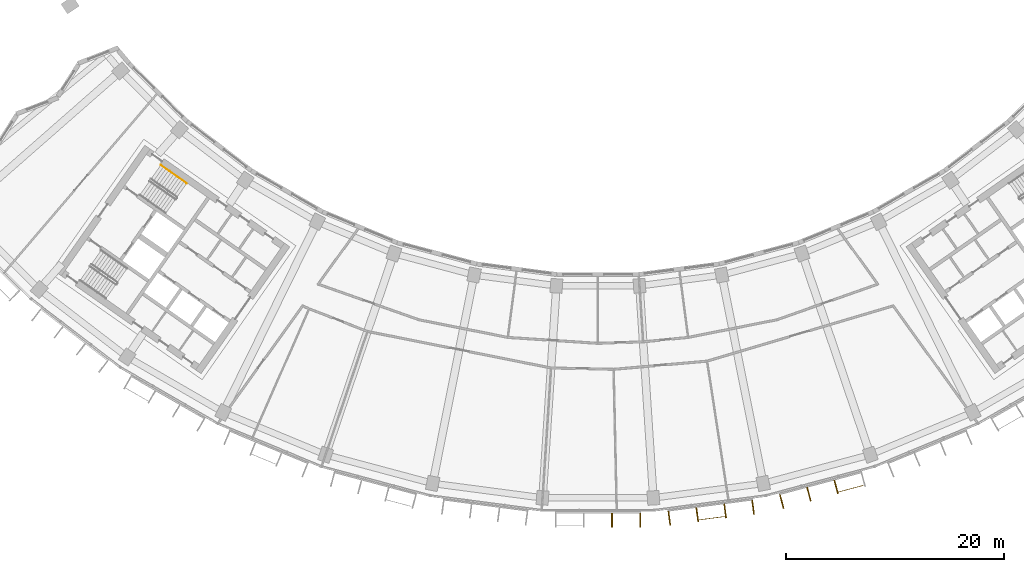
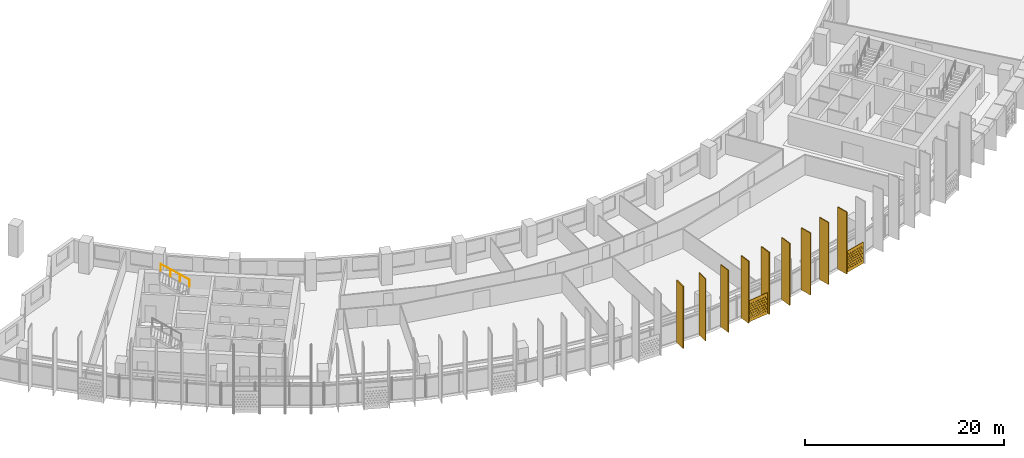
# One storey, part 24 of 27: 11 shading devices, 1 railing.
"""IFC4 building model written with IfcOpenShell, lengths in metres."""

from ifc_helpers import new_model, si_unit, direction, frame, origin, origin_2d, place, context, subcontext, project, spatial, polyline, rectangle, circle, outline, extrude, material, material_profile, profile_set, type_object, element, save


model = new_model("IFC4")

# Units and contexts
model_context = context("Model", 3, precision=1e-05, world=origin(), true_north=direction((0.0, 1.0)))
body_context = subcontext(model_context, "Body", "Model", "MODEL_VIEW")
ifc_project = project(units=[si_unit("LENGTHUNIT", "METRE"), si_unit("AREAUNIT", "SQUARE_METRE"), si_unit("VOLUMEUNIT", "CUBIC_METRE"), si_unit("PLANEANGLEUNIT", "RADIAN"), si_unit("MASSUNIT", "GRAM", prefix="KILO")], contexts=[model_context])

# Site, building, storey
site_placement = place(None, origin())
site = spatial("IfcSite", under=ifc_project, at=site_placement, CompositionType="ELEMENT")
building_placement = place(site_placement, origin())
building = spatial("IfcBuilding", under=site, at=building_placement, Name="Qamariyya Broadcast Tower", CompositionType="ELEMENT")
storey_placement = place(building_placement, frame((0.0, 0.0, 172.10009765625)))
storey = spatial("IfcBuildingStorey", under=building, at=storey_placement, Name="L40", CompositionType="ELEMENT", Elevation=172.10009765625)

# Shading devices
ifc_material_1 = material(Name="Perforated glazed terracotta", Category="masonry")
ifc_material_profile_1 = material_profile(ifc_material_1, outline(polyline([(-1.199951171875, -1.300048828125), (1.199951171875, -1.300048828125), (1.199951171875, 1.300048828125), (-1.199951171875, 1.300048828125), (-1.199951171875, -1.300048828125)]), holes=[polyline([(-0.81494140625, -0.86669921875), (-0.89990234375, -0.78173828125), (-0.985107421875, -0.86669921875), (-0.89990234375, -0.95166015625), (-0.81494140625, -0.86669921875)]), polyline([(-0.514892578125, -0.86669921875), (-0.60009765625, -0.78173828125), (-0.68505859375, -0.86669921875), (-0.60009765625, -0.95166015625), (-0.514892578125, -0.86669921875)]), polyline([(-0.215087890625, -0.86669921875), (-0.300048828125, -0.78173828125), (-0.385009765625, -0.86669921875), (-0.300048828125, -0.95166015625), (-0.215087890625, -0.86669921875)]), polyline([(0.0849609375, -0.86669921875), (0.0, -0.78173828125), (-0.0849609375, -0.86669921875), (0.0, -0.95166015625), (0.0849609375, -0.86669921875)]), polyline([(0.385009765625, -0.86669921875), (0.300048828125, -0.78173828125), (0.215087890625, -0.86669921875), (0.300048828125, -0.95166015625), (0.385009765625, -0.86669921875)]), polyline([(0.68505859375, -0.86669921875), (0.60009765625, -0.78173828125), (0.514892578125, -0.86669921875), (0.60009765625, -0.95166015625), (0.68505859375, -0.86669921875)]), polyline([(0.985107421875, -0.86669921875), (0.89990234375, -0.78173828125), (0.81494140625, -0.86669921875), (0.89990234375, -0.95166015625), (0.985107421875, -0.86669921875)]), polyline([(-0.965087890625, -0.577880859375), (-1.050048828125, -0.49267578125), (-1.135009765625, -0.577880859375), (-1.050048828125, -0.662841796875), (-0.965087890625, -0.577880859375)]), polyline([(-0.6650390625, -0.577880859375), (-0.75, -0.49267578125), (-0.8349609375, -0.577880859375), (-0.75, -0.662841796875), (-0.6650390625, -0.577880859375)]), polyline([(-0.364990234375, -0.577880859375), (-0.449951171875, -0.49267578125), (-0.534912109375, -0.577880859375), (-0.449951171875, -0.662841796875), (-0.364990234375, -0.577880859375)]), polyline([(-0.06494140625, -0.577880859375), (-0.14990234375, -0.49267578125), (-0.235107421875, -0.577880859375), (-0.14990234375, -0.662841796875), (-0.06494140625, -0.577880859375)]), polyline([(0.235107421875, -0.577880859375), (0.14990234375, -0.49267578125), (0.06494140625, -0.577880859375), (0.14990234375, -0.662841796875), (0.235107421875, -0.577880859375)]), polyline([(0.534912109375, -0.577880859375), (0.449951171875, -0.49267578125), (0.364990234375, -0.577880859375), (0.449951171875, -0.662841796875), (0.534912109375, -0.577880859375)]), polyline([(0.8349609375, -0.577880859375), (0.75, -0.49267578125), (0.6650390625, -0.577880859375), (0.75, -0.662841796875), (0.8349609375, -0.577880859375)]), polyline([(1.135009765625, -0.577880859375), (1.050048828125, -0.49267578125), (0.965087890625, -0.577880859375), (1.050048828125, -0.662841796875), (1.135009765625, -0.577880859375)]), polyline([(-0.81494140625, -0.288818359375), (-0.89990234375, -0.203857421875), (-0.985107421875, -0.288818359375), (-0.89990234375, -0.373779296875), (-0.81494140625, -0.288818359375)]), polyline([(-0.514892578125, -0.288818359375), (-0.60009765625, -0.203857421875), (-0.68505859375, -0.288818359375), (-0.60009765625, -0.373779296875), (-0.514892578125, -0.288818359375)]), polyline([(-0.215087890625, -0.288818359375), (-0.300048828125, -0.203857421875), (-0.385009765625, -0.288818359375), (-0.300048828125, -0.373779296875), (-0.215087890625, -0.288818359375)]), polyline([(0.0849609375, -0.288818359375), (0.0, -0.203857421875), (-0.0849609375, -0.288818359375), (0.0, -0.373779296875), (0.0849609375, -0.288818359375)]), polyline([(0.385009765625, -0.288818359375), (0.300048828125, -0.203857421875), (0.215087890625, -0.288818359375), (0.300048828125, -0.373779296875), (0.385009765625, -0.288818359375)]), polyline([(0.68505859375, -0.288818359375), (0.60009765625, -0.203857421875), (0.514892578125, -0.288818359375), (0.60009765625, -0.373779296875), (0.68505859375, -0.288818359375)]), polyline([(0.985107421875, -0.288818359375), (0.89990234375, -0.203857421875), (0.81494140625, -0.288818359375), (0.89990234375, -0.373779296875), (0.985107421875, -0.288818359375)]), polyline([(-0.965087890625, 0.0), (-1.050048828125, 0.0849609375), (-1.135009765625, 0.0), (-1.050048828125, -0.0849609375), (-0.965087890625, 0.0)]), polyline([(-0.6650390625, 0.0), (-0.75, 0.0849609375), (-0.8349609375, 0.0), (-0.75, -0.0849609375), (-0.6650390625, 0.0)]), polyline([(-0.364990234375, 0.0), (-0.449951171875, 0.0849609375), (-0.534912109375, 0.0), (-0.449951171875, -0.0849609375), (-0.364990234375, 0.0)]), polyline([(-0.06494140625, 0.0), (-0.14990234375, 0.0849609375), (-0.235107421875, 0.0), (-0.14990234375, -0.0849609375), (-0.06494140625, 0.0)]), polyline([(0.235107421875, 0.0), (0.14990234375, 0.0849609375), (0.06494140625, 0.0), (0.14990234375, -0.0849609375), (0.235107421875, 0.0)]), polyline([(0.534912109375, 0.0), (0.449951171875, 0.0849609375), (0.364990234375, 0.0), (0.449951171875, -0.0849609375), (0.534912109375, 0.0)]), polyline([(0.8349609375, 0.0), (0.75, 0.0849609375), (0.6650390625, 0.0), (0.75, -0.0849609375), (0.8349609375, 0.0)]), polyline([(1.135009765625, 0.0), (1.050048828125, 0.0849609375), (0.965087890625, 0.0), (1.050048828125, -0.0849609375), (1.135009765625, 0.0)]), polyline([(-0.81494140625, 0.288818359375), (-0.89990234375, 0.373779296875), (-0.985107421875, 0.288818359375), (-0.89990234375, 0.203857421875), (-0.81494140625, 0.288818359375)]), polyline([(-0.514892578125, 0.288818359375), (-0.60009765625, 0.373779296875), (-0.68505859375, 0.288818359375), (-0.60009765625, 0.203857421875), (-0.514892578125, 0.288818359375)]), polyline([(-0.215087890625, 0.288818359375), (-0.300048828125, 0.373779296875), (-0.385009765625, 0.288818359375), (-0.300048828125, 0.203857421875), (-0.215087890625, 0.288818359375)]), polyline([(0.0849609375, 0.288818359375), (0.0, 0.373779296875), (-0.0849609375, 0.288818359375), (0.0, 0.203857421875), (0.0849609375, 0.288818359375)]), polyline([(0.385009765625, 0.288818359375), (0.300048828125, 0.373779296875), (0.215087890625, 0.288818359375), (0.300048828125, 0.203857421875), (0.385009765625, 0.288818359375)]), polyline([(0.68505859375, 0.288818359375), (0.60009765625, 0.373779296875), (0.514892578125, 0.288818359375), (0.60009765625, 0.203857421875), (0.68505859375, 0.288818359375)]), polyline([(0.985107421875, 0.288818359375), (0.89990234375, 0.373779296875), (0.81494140625, 0.288818359375), (0.89990234375, 0.203857421875), (0.985107421875, 0.288818359375)]), polyline([(-0.965087890625, 0.577880859375), (-1.050048828125, 0.662841796875), (-1.135009765625, 0.577880859375), (-1.050048828125, 0.49267578125), (-0.965087890625, 0.577880859375)]), polyline([(-0.6650390625, 0.577880859375), (-0.75, 0.662841796875), (-0.8349609375, 0.577880859375), (-0.75, 0.49267578125), (-0.6650390625, 0.577880859375)]), polyline([(-0.364990234375, 0.577880859375), (-0.449951171875, 0.662841796875), (-0.534912109375, 0.577880859375), (-0.449951171875, 0.49267578125), (-0.364990234375, 0.577880859375)]), polyline([(-0.06494140625, 0.577880859375), (-0.14990234375, 0.662841796875), (-0.235107421875, 0.577880859375), (-0.14990234375, 0.49267578125), (-0.06494140625, 0.577880859375)]), polyline([(0.235107421875, 0.577880859375), (0.14990234375, 0.662841796875), (0.06494140625, 0.577880859375), (0.14990234375, 0.49267578125), (0.235107421875, 0.577880859375)]), polyline([(0.534912109375, 0.577880859375), (0.449951171875, 0.662841796875), (0.364990234375, 0.577880859375), (0.449951171875, 0.49267578125), (0.534912109375, 0.577880859375)]), polyline([(0.8349609375, 0.577880859375), (0.75, 0.662841796875), (0.6650390625, 0.577880859375), (0.75, 0.49267578125), (0.8349609375, 0.577880859375)]), polyline([(1.135009765625, 0.577880859375), (1.050048828125, 0.662841796875), (0.965087890625, 0.577880859375), (1.050048828125, 0.49267578125), (1.135009765625, 0.577880859375)]), polyline([(-0.81494140625, 0.86669921875), (-0.89990234375, 0.95166015625), (-0.985107421875, 0.86669921875), (-0.89990234375, 0.78173828125), (-0.81494140625, 0.86669921875)]), polyline([(-0.514892578125, 0.86669921875), (-0.60009765625, 0.95166015625), (-0.68505859375, 0.86669921875), (-0.60009765625, 0.78173828125), (-0.514892578125, 0.86669921875)]), polyline([(-0.215087890625, 0.86669921875), (-0.300048828125, 0.95166015625), (-0.385009765625, 0.86669921875), (-0.300048828125, 0.78173828125), (-0.215087890625, 0.86669921875)]), polyline([(0.0849609375, 0.86669921875), (0.0, 0.95166015625), (-0.0849609375, 0.86669921875), (0.0, 0.78173828125), (0.0849609375, 0.86669921875)]), polyline([(0.385009765625, 0.86669921875), (0.300048828125, 0.95166015625), (0.215087890625, 0.86669921875), (0.300048828125, 0.78173828125), (0.385009765625, 0.86669921875)]), polyline([(0.68505859375, 0.86669921875), (0.60009765625, 0.95166015625), (0.514892578125, 0.86669921875), (0.60009765625, 0.78173828125), (0.68505859375, 0.86669921875)]), polyline([(0.985107421875, 0.86669921875), (0.89990234375, 0.95166015625), (0.81494140625, 0.86669921875), (0.89990234375, 0.78173828125), (0.985107421875, 0.86669921875)])]))
ifc_profile_set_1 = profile_set([ifc_material_profile_1], Name="Perforated glazed terracotta")
shading_device_type_1 = type_object("IfcShadingDeviceType", Name="Perforated terracotta screen 2400 x 2600", PredefinedType="USERDEFINED", material=ifc_profile_set_1)
shading_device_1_placement = place(storey_placement, frame((10.413818359375, -79.421142578125, 1.349853515625), z_axis=(0.13056005306, -0.991440402921, 0.0), x_axis=(0.991440402921, 0.13056005306, 0.0)))
element("IfcShadingDevice", 1, at=shading_device_1_placement, inside=storey, type_object=shading_device_type_1, Name="e-scr-L40-08-1", ObjectType="SCREEN", PredefinedType="USERDEFINED", context=body_context, shape_type="SweptSolid", body=[
    extrude(outline(polyline([(-1.199951171875, -1.300048828125), (1.199951171875, -1.300048828125), (1.199951171875, 1.300048828125), (-1.199951171875, 1.300048828125), (-1.199951171875, -1.300048828125)]), holes=[polyline([(-0.81494140625, -0.86669921875), (-0.89990234375, -0.78173828125), (-0.985107421875, -0.86669921875), (-0.89990234375, -0.95166015625), (-0.81494140625, -0.86669921875)]), polyline([(-0.514892578125, -0.86669921875), (-0.60009765625, -0.78173828125), (-0.68505859375, -0.86669921875), (-0.60009765625, -0.95166015625), (-0.514892578125, -0.86669921875)]), polyline([(-0.215087890625, -0.86669921875), (-0.300048828125, -0.78173828125), (-0.385009765625, -0.86669921875), (-0.300048828125, -0.95166015625), (-0.215087890625, -0.86669921875)]), polyline([(0.0849609375, -0.86669921875), (0.0, -0.78173828125), (-0.0849609375, -0.86669921875), (0.0, -0.95166015625), (0.0849609375, -0.86669921875)]), polyline([(0.385009765625, -0.86669921875), (0.300048828125, -0.78173828125), (0.215087890625, -0.86669921875), (0.300048828125, -0.95166015625), (0.385009765625, -0.86669921875)]), polyline([(0.68505859375, -0.86669921875), (0.60009765625, -0.78173828125), (0.514892578125, -0.86669921875), (0.60009765625, -0.95166015625), (0.68505859375, -0.86669921875)]), polyline([(0.985107421875, -0.86669921875), (0.89990234375, -0.78173828125), (0.81494140625, -0.86669921875), (0.89990234375, -0.95166015625), (0.985107421875, -0.86669921875)]), polyline([(-0.965087890625, -0.577880859375), (-1.050048828125, -0.49267578125), (-1.135009765625, -0.577880859375), (-1.050048828125, -0.662841796875), (-0.965087890625, -0.577880859375)]), polyline([(-0.6650390625, -0.577880859375), (-0.75, -0.49267578125), (-0.8349609375, -0.577880859375), (-0.75, -0.662841796875), (-0.6650390625, -0.577880859375)]), polyline([(-0.364990234375, -0.577880859375), (-0.449951171875, -0.49267578125), (-0.534912109375, -0.577880859375), (-0.449951171875, -0.662841796875), (-0.364990234375, -0.577880859375)]), polyline([(-0.06494140625, -0.577880859375), (-0.14990234375, -0.49267578125), (-0.235107421875, -0.577880859375), (-0.14990234375, -0.662841796875), (-0.06494140625, -0.577880859375)]), polyline([(0.235107421875, -0.577880859375), (0.14990234375, -0.49267578125), (0.06494140625, -0.577880859375), (0.14990234375, -0.662841796875), (0.235107421875, -0.577880859375)]), polyline([(0.534912109375, -0.577880859375), (0.449951171875, -0.49267578125), (0.364990234375, -0.577880859375), (0.449951171875, -0.662841796875), (0.534912109375, -0.577880859375)]), polyline([(0.8349609375, -0.577880859375), (0.75, -0.49267578125), (0.6650390625, -0.577880859375), (0.75, -0.662841796875), (0.8349609375, -0.577880859375)]), polyline([(1.135009765625, -0.577880859375), (1.050048828125, -0.49267578125), (0.965087890625, -0.577880859375), (1.050048828125, -0.662841796875), (1.135009765625, -0.577880859375)]), polyline([(-0.81494140625, -0.288818359375), (-0.89990234375, -0.203857421875), (-0.985107421875, -0.288818359375), (-0.89990234375, -0.373779296875), (-0.81494140625, -0.288818359375)]), polyline([(-0.514892578125, -0.288818359375), (-0.60009765625, -0.203857421875), (-0.68505859375, -0.288818359375), (-0.60009765625, -0.373779296875), (-0.514892578125, -0.288818359375)]), polyline([(-0.215087890625, -0.288818359375), (-0.300048828125, -0.203857421875), (-0.385009765625, -0.288818359375), (-0.300048828125, -0.373779296875), (-0.215087890625, -0.288818359375)]), polyline([(0.0849609375, -0.288818359375), (0.0, -0.203857421875), (-0.0849609375, -0.288818359375), (0.0, -0.373779296875), (0.0849609375, -0.288818359375)]), polyline([(0.385009765625, -0.288818359375), (0.300048828125, -0.203857421875), (0.215087890625, -0.288818359375), (0.300048828125, -0.373779296875), (0.385009765625, -0.288818359375)]), polyline([(0.68505859375, -0.288818359375), (0.60009765625, -0.203857421875), (0.514892578125, -0.288818359375), (0.60009765625, -0.373779296875), (0.68505859375, -0.288818359375)]), polyline([(0.985107421875, -0.288818359375), (0.89990234375, -0.203857421875), (0.81494140625, -0.288818359375), (0.89990234375, -0.373779296875), (0.985107421875, -0.288818359375)]), polyline([(-0.965087890625, 0.0), (-1.050048828125, 0.0849609375), (-1.135009765625, 0.0), (-1.050048828125, -0.0849609375), (-0.965087890625, 0.0)]), polyline([(-0.6650390625, 0.0), (-0.75, 0.0849609375), (-0.8349609375, 0.0), (-0.75, -0.0849609375), (-0.6650390625, 0.0)]), polyline([(-0.364990234375, 0.0), (-0.449951171875, 0.0849609375), (-0.534912109375, 0.0), (-0.449951171875, -0.0849609375), (-0.364990234375, 0.0)]), polyline([(-0.06494140625, 0.0), (-0.14990234375, 0.0849609375), (-0.235107421875, 0.0), (-0.14990234375, -0.0849609375), (-0.06494140625, 0.0)]), polyline([(0.235107421875, 0.0), (0.14990234375, 0.0849609375), (0.06494140625, 0.0), (0.14990234375, -0.0849609375), (0.235107421875, 0.0)]), polyline([(0.534912109375, 0.0), (0.449951171875, 0.0849609375), (0.364990234375, 0.0), (0.449951171875, -0.0849609375), (0.534912109375, 0.0)]), polyline([(0.8349609375, 0.0), (0.75, 0.0849609375), (0.6650390625, 0.0), (0.75, -0.0849609375), (0.8349609375, 0.0)]), polyline([(1.135009765625, 0.0), (1.050048828125, 0.0849609375), (0.965087890625, 0.0), (1.050048828125, -0.0849609375), (1.135009765625, 0.0)]), polyline([(-0.81494140625, 0.288818359375), (-0.89990234375, 0.373779296875), (-0.985107421875, 0.288818359375), (-0.89990234375, 0.203857421875), (-0.81494140625, 0.288818359375)]), polyline([(-0.514892578125, 0.288818359375), (-0.60009765625, 0.373779296875), (-0.68505859375, 0.288818359375), (-0.60009765625, 0.203857421875), (-0.514892578125, 0.288818359375)]), polyline([(-0.215087890625, 0.288818359375), (-0.300048828125, 0.373779296875), (-0.385009765625, 0.288818359375), (-0.300048828125, 0.203857421875), (-0.215087890625, 0.288818359375)]), polyline([(0.0849609375, 0.288818359375), (0.0, 0.373779296875), (-0.0849609375, 0.288818359375), (0.0, 0.203857421875), (0.0849609375, 0.288818359375)]), polyline([(0.385009765625, 0.288818359375), (0.300048828125, 0.373779296875), (0.215087890625, 0.288818359375), (0.300048828125, 0.203857421875), (0.385009765625, 0.288818359375)]), polyline([(0.68505859375, 0.288818359375), (0.60009765625, 0.373779296875), (0.514892578125, 0.288818359375), (0.60009765625, 0.203857421875), (0.68505859375, 0.288818359375)]), polyline([(0.985107421875, 0.288818359375), (0.89990234375, 0.373779296875), (0.81494140625, 0.288818359375), (0.89990234375, 0.203857421875), (0.985107421875, 0.288818359375)]), polyline([(-0.965087890625, 0.577880859375), (-1.050048828125, 0.662841796875), (-1.135009765625, 0.577880859375), (-1.050048828125, 0.49267578125), (-0.965087890625, 0.577880859375)]), polyline([(-0.6650390625, 0.577880859375), (-0.75, 0.662841796875), (-0.8349609375, 0.577880859375), (-0.75, 0.49267578125), (-0.6650390625, 0.577880859375)]), polyline([(-0.364990234375, 0.577880859375), (-0.449951171875, 0.662841796875), (-0.534912109375, 0.577880859375), (-0.449951171875, 0.49267578125), (-0.364990234375, 0.577880859375)]), polyline([(-0.06494140625, 0.577880859375), (-0.14990234375, 0.662841796875), (-0.235107421875, 0.577880859375), (-0.14990234375, 0.49267578125), (-0.06494140625, 0.577880859375)]), polyline([(0.235107421875, 0.577880859375), (0.14990234375, 0.662841796875), (0.06494140625, 0.577880859375), (0.14990234375, 0.49267578125), (0.235107421875, 0.577880859375)]), polyline([(0.534912109375, 0.577880859375), (0.449951171875, 0.662841796875), (0.364990234375, 0.577880859375), (0.449951171875, 0.49267578125), (0.534912109375, 0.577880859375)]), polyline([(0.8349609375, 0.577880859375), (0.75, 0.662841796875), (0.6650390625, 0.577880859375), (0.75, 0.49267578125), (0.8349609375, 0.577880859375)]), polyline([(1.135009765625, 0.577880859375), (1.050048828125, 0.662841796875), (0.965087890625, 0.577880859375), (1.050048828125, 0.49267578125), (1.135009765625, 0.577880859375)]), polyline([(-0.81494140625, 0.86669921875), (-0.89990234375, 0.95166015625), (-0.985107421875, 0.86669921875), (-0.89990234375, 0.78173828125), (-0.81494140625, 0.86669921875)]), polyline([(-0.514892578125, 0.86669921875), (-0.60009765625, 0.95166015625), (-0.68505859375, 0.86669921875), (-0.60009765625, 0.78173828125), (-0.514892578125, 0.86669921875)]), polyline([(-0.215087890625, 0.86669921875), (-0.300048828125, 0.95166015625), (-0.385009765625, 0.86669921875), (-0.300048828125, 0.78173828125), (-0.215087890625, 0.86669921875)]), polyline([(0.0849609375, 0.86669921875), (0.0, 0.95166015625), (-0.0849609375, 0.86669921875), (0.0, 0.78173828125), (0.0849609375, 0.86669921875)]), polyline([(0.385009765625, 0.86669921875), (0.300048828125, 0.95166015625), (0.215087890625, 0.86669921875), (0.300048828125, 0.78173828125), (0.385009765625, 0.86669921875)]), polyline([(0.68505859375, 0.86669921875), (0.60009765625, 0.95166015625), (0.514892578125, 0.86669921875), (0.60009765625, 0.78173828125), (0.68505859375, 0.86669921875)]), polyline([(0.985107421875, 0.86669921875), (0.89990234375, 0.95166015625), (0.81494140625, 0.86669921875), (0.89990234375, 0.78173828125), (0.985107421875, 0.86669921875)])]), origin(), (0.0, 0.0, 1.0), 0.059814453125),
])
shading_device_2_placement = place(storey_placement, frame((23.186767578125, -76.713623046875, 1.349853515625), z_axis=(0.256901156343, -0.966437683387, 0.0), x_axis=(0.966437683387, 0.256901156343, 0.0)))
element("IfcShadingDevice", 2, at=shading_device_2_placement, inside=storey, type_object=shading_device_type_1, Name="e-scr-L40-09-2", ObjectType="SCREEN", PredefinedType="USERDEFINED", context=body_context, shape_type="SweptSolid", body=[
    extrude(outline(polyline([(-1.199951171875, -1.300048828125), (1.199951171875, -1.300048828125), (1.199951171875, 1.300048828125), (-1.199951171875, 1.300048828125), (-1.199951171875, -1.300048828125)]), holes=[polyline([(-0.81494140625, -0.86669921875), (-0.89990234375, -0.78173828125), (-0.985107421875, -0.86669921875), (-0.89990234375, -0.95166015625), (-0.81494140625, -0.86669921875)]), polyline([(-0.514892578125, -0.86669921875), (-0.60009765625, -0.78173828125), (-0.68505859375, -0.86669921875), (-0.60009765625, -0.95166015625), (-0.514892578125, -0.86669921875)]), polyline([(-0.215087890625, -0.86669921875), (-0.300048828125, -0.78173828125), (-0.385009765625, -0.86669921875), (-0.300048828125, -0.95166015625), (-0.215087890625, -0.86669921875)]), polyline([(0.0849609375, -0.86669921875), (0.0, -0.78173828125), (-0.0849609375, -0.86669921875), (0.0, -0.95166015625), (0.0849609375, -0.86669921875)]), polyline([(0.385009765625, -0.86669921875), (0.300048828125, -0.78173828125), (0.215087890625, -0.86669921875), (0.300048828125, -0.95166015625), (0.385009765625, -0.86669921875)]), polyline([(0.68505859375, -0.86669921875), (0.60009765625, -0.78173828125), (0.514892578125, -0.86669921875), (0.60009765625, -0.95166015625), (0.68505859375, -0.86669921875)]), polyline([(0.985107421875, -0.86669921875), (0.89990234375, -0.78173828125), (0.81494140625, -0.86669921875), (0.89990234375, -0.95166015625), (0.985107421875, -0.86669921875)]), polyline([(-0.965087890625, -0.577880859375), (-1.050048828125, -0.49267578125), (-1.135009765625, -0.577880859375), (-1.050048828125, -0.662841796875), (-0.965087890625, -0.577880859375)]), polyline([(-0.6650390625, -0.577880859375), (-0.75, -0.49267578125), (-0.8349609375, -0.577880859375), (-0.75, -0.662841796875), (-0.6650390625, -0.577880859375)]), polyline([(-0.364990234375, -0.577880859375), (-0.449951171875, -0.49267578125), (-0.534912109375, -0.577880859375), (-0.449951171875, -0.662841796875), (-0.364990234375, -0.577880859375)]), polyline([(-0.06494140625, -0.577880859375), (-0.14990234375, -0.49267578125), (-0.235107421875, -0.577880859375), (-0.14990234375, -0.662841796875), (-0.06494140625, -0.577880859375)]), polyline([(0.235107421875, -0.577880859375), (0.14990234375, -0.49267578125), (0.06494140625, -0.577880859375), (0.14990234375, -0.662841796875), (0.235107421875, -0.577880859375)]), polyline([(0.534912109375, -0.577880859375), (0.449951171875, -0.49267578125), (0.364990234375, -0.577880859375), (0.449951171875, -0.662841796875), (0.534912109375, -0.577880859375)]), polyline([(0.8349609375, -0.577880859375), (0.75, -0.49267578125), (0.6650390625, -0.577880859375), (0.75, -0.662841796875), (0.8349609375, -0.577880859375)]), polyline([(1.135009765625, -0.577880859375), (1.050048828125, -0.49267578125), (0.965087890625, -0.577880859375), (1.050048828125, -0.662841796875), (1.135009765625, -0.577880859375)]), polyline([(-0.81494140625, -0.288818359375), (-0.89990234375, -0.203857421875), (-0.985107421875, -0.288818359375), (-0.89990234375, -0.373779296875), (-0.81494140625, -0.288818359375)]), polyline([(-0.514892578125, -0.288818359375), (-0.60009765625, -0.203857421875), (-0.68505859375, -0.288818359375), (-0.60009765625, -0.373779296875), (-0.514892578125, -0.288818359375)]), polyline([(-0.215087890625, -0.288818359375), (-0.300048828125, -0.203857421875), (-0.385009765625, -0.288818359375), (-0.300048828125, -0.373779296875), (-0.215087890625, -0.288818359375)]), polyline([(0.0849609375, -0.288818359375), (0.0, -0.203857421875), (-0.0849609375, -0.288818359375), (0.0, -0.373779296875), (0.0849609375, -0.288818359375)]), polyline([(0.385009765625, -0.288818359375), (0.300048828125, -0.203857421875), (0.215087890625, -0.288818359375), (0.300048828125, -0.373779296875), (0.385009765625, -0.288818359375)]), polyline([(0.68505859375, -0.288818359375), (0.60009765625, -0.203857421875), (0.514892578125, -0.288818359375), (0.60009765625, -0.373779296875), (0.68505859375, -0.288818359375)]), polyline([(0.985107421875, -0.288818359375), (0.89990234375, -0.203857421875), (0.81494140625, -0.288818359375), (0.89990234375, -0.373779296875), (0.985107421875, -0.288818359375)]), polyline([(-0.965087890625, 0.0), (-1.050048828125, 0.0849609375), (-1.135009765625, 0.0), (-1.050048828125, -0.0849609375), (-0.965087890625, 0.0)]), polyline([(-0.6650390625, 0.0), (-0.75, 0.0849609375), (-0.8349609375, 0.0), (-0.75, -0.0849609375), (-0.6650390625, 0.0)]), polyline([(-0.364990234375, 0.0), (-0.449951171875, 0.0849609375), (-0.534912109375, 0.0), (-0.449951171875, -0.0849609375), (-0.364990234375, 0.0)]), polyline([(-0.06494140625, 0.0), (-0.14990234375, 0.0849609375), (-0.235107421875, 0.0), (-0.14990234375, -0.0849609375), (-0.06494140625, 0.0)]), polyline([(0.235107421875, 0.0), (0.14990234375, 0.0849609375), (0.06494140625, 0.0), (0.14990234375, -0.0849609375), (0.235107421875, 0.0)]), polyline([(0.534912109375, 0.0), (0.449951171875, 0.0849609375), (0.364990234375, 0.0), (0.449951171875, -0.0849609375), (0.534912109375, 0.0)]), polyline([(0.8349609375, 0.0), (0.75, 0.0849609375), (0.6650390625, 0.0), (0.75, -0.0849609375), (0.8349609375, 0.0)]), polyline([(1.135009765625, 0.0), (1.050048828125, 0.0849609375), (0.965087890625, 0.0), (1.050048828125, -0.0849609375), (1.135009765625, 0.0)]), polyline([(-0.81494140625, 0.288818359375), (-0.89990234375, 0.373779296875), (-0.985107421875, 0.288818359375), (-0.89990234375, 0.203857421875), (-0.81494140625, 0.288818359375)]), polyline([(-0.514892578125, 0.288818359375), (-0.60009765625, 0.373779296875), (-0.68505859375, 0.288818359375), (-0.60009765625, 0.203857421875), (-0.514892578125, 0.288818359375)]), polyline([(-0.215087890625, 0.288818359375), (-0.300048828125, 0.373779296875), (-0.385009765625, 0.288818359375), (-0.300048828125, 0.203857421875), (-0.215087890625, 0.288818359375)]), polyline([(0.0849609375, 0.288818359375), (0.0, 0.373779296875), (-0.0849609375, 0.288818359375), (0.0, 0.203857421875), (0.0849609375, 0.288818359375)]), polyline([(0.385009765625, 0.288818359375), (0.300048828125, 0.373779296875), (0.215087890625, 0.288818359375), (0.300048828125, 0.203857421875), (0.385009765625, 0.288818359375)]), polyline([(0.68505859375, 0.288818359375), (0.60009765625, 0.373779296875), (0.514892578125, 0.288818359375), (0.60009765625, 0.203857421875), (0.68505859375, 0.288818359375)]), polyline([(0.985107421875, 0.288818359375), (0.89990234375, 0.373779296875), (0.81494140625, 0.288818359375), (0.89990234375, 0.203857421875), (0.985107421875, 0.288818359375)]), polyline([(-0.965087890625, 0.577880859375), (-1.050048828125, 0.662841796875), (-1.135009765625, 0.577880859375), (-1.050048828125, 0.49267578125), (-0.965087890625, 0.577880859375)]), polyline([(-0.6650390625, 0.577880859375), (-0.75, 0.662841796875), (-0.8349609375, 0.577880859375), (-0.75, 0.49267578125), (-0.6650390625, 0.577880859375)]), polyline([(-0.364990234375, 0.577880859375), (-0.449951171875, 0.662841796875), (-0.534912109375, 0.577880859375), (-0.449951171875, 0.49267578125), (-0.364990234375, 0.577880859375)]), polyline([(-0.06494140625, 0.577880859375), (-0.14990234375, 0.662841796875), (-0.235107421875, 0.577880859375), (-0.14990234375, 0.49267578125), (-0.06494140625, 0.577880859375)]), polyline([(0.235107421875, 0.577880859375), (0.14990234375, 0.662841796875), (0.06494140625, 0.577880859375), (0.14990234375, 0.49267578125), (0.235107421875, 0.577880859375)]), polyline([(0.534912109375, 0.577880859375), (0.449951171875, 0.662841796875), (0.364990234375, 0.577880859375), (0.449951171875, 0.49267578125), (0.534912109375, 0.577880859375)]), polyline([(0.8349609375, 0.577880859375), (0.75, 0.662841796875), (0.6650390625, 0.577880859375), (0.75, 0.49267578125), (0.8349609375, 0.577880859375)]), polyline([(1.135009765625, 0.577880859375), (1.050048828125, 0.662841796875), (0.965087890625, 0.577880859375), (1.050048828125, 0.49267578125), (1.135009765625, 0.577880859375)]), polyline([(-0.81494140625, 0.86669921875), (-0.89990234375, 0.95166015625), (-0.985107421875, 0.86669921875), (-0.89990234375, 0.78173828125), (-0.81494140625, 0.86669921875)]), polyline([(-0.514892578125, 0.86669921875), (-0.60009765625, 0.95166015625), (-0.68505859375, 0.86669921875), (-0.60009765625, 0.78173828125), (-0.514892578125, 0.86669921875)]), polyline([(-0.215087890625, 0.86669921875), (-0.300048828125, 0.95166015625), (-0.385009765625, 0.86669921875), (-0.300048828125, 0.78173828125), (-0.215087890625, 0.86669921875)]), polyline([(0.0849609375, 0.86669921875), (0.0, 0.95166015625), (-0.0849609375, 0.86669921875), (0.0, 0.78173828125), (0.0849609375, 0.86669921875)]), polyline([(0.385009765625, 0.86669921875), (0.300048828125, 0.95166015625), (0.215087890625, 0.86669921875), (0.300048828125, 0.78173828125), (0.385009765625, 0.86669921875)]), polyline([(0.68505859375, 0.86669921875), (0.60009765625, 0.95166015625), (0.514892578125, 0.86669921875), (0.60009765625, 0.78173828125), (0.68505859375, 0.86669921875)]), polyline([(0.985107421875, 0.86669921875), (0.89990234375, 0.95166015625), (0.81494140625, 0.86669921875), (0.89990234375, 0.78173828125), (0.985107421875, 0.86669921875)])]), origin(), (0.0, 0.0, 1.0), 0.059814453125),
])

# Railing
ifc_material_2 = material(Name="Stainless steel", Category="steel")
railing_type = type_object("IfcRailingType", Name="Stair handrail", PredefinedType="HANDRAIL", material=ifc_material_2)
railing_placement = place(storey_placement, frame((-37.73876953125, -48.7138671875, 2.072509765625)))
element("IfcRailing", 3, at=railing_placement, inside=storey, type_object=railing_type, Name="L40 ST-W2 stair handrail 2", PredefinedType="HANDRAIL", context=body_context, shape_type="SweptSolid", body=[
    extrude(circle(Radius=0.02392578125, at=origin_2d()), frame((0.0, 0.0, 0.8759765625), z_axis=(-0.703745009021, 0.492838488332, 0.511715923826), x_axis=(-0.573631830683, -0.819113253969, 0.0)), (0.0, 0.0, 1.0), 3.37548828125),
    extrude(circle(Radius=0.02099609375, at=origin_2d()), origin(), (0.0, 0.0, 1.0), 0.851806640625),
    extrude(circle(Radius=0.02099609375, at=origin_2d()), frame((-0.791748046875, 0.554443359375, 0.57568359375)), (0.0, 0.0, 1.0), 0.851806640625),
    extrude(circle(Radius=0.02099609375, at=origin_2d()), frame((-1.583740234375, 1.109130859375, 1.151611328125)), (0.0, 0.0, 1.0), 0.851806640625),
    extrude(circle(Radius=0.02099609375, at=origin_2d()), frame((-2.37548828125, 1.66357421875, 1.727294921875)), (0.0, 0.0, 1.0), 0.851806640625),
])

# Shading devices
ifc_material_3 = material(Name="Glazed terracotta", Category="masonry")
ifc_material_profile_2 = material_profile(ifc_material_3, rectangle(XDim=1.300048828125, YDim=0.10009765625, at=origin_2d()))
ifc_profile_set_2 = profile_set([ifc_material_profile_2], Name="Glazed terracotta")
shading_device_type_2 = type_object("IfcShadingDeviceType", Name="Terracotta fin 100 x 1300", PredefinedType="USERDEFINED", material=ifc_profile_set_2)
for number, where, z_axis, x_axis, name in (
    (4, (1.291748046875, -79.630859375, 0.0), (0.0, 0.0, 1.0), (0.0, -1.0, 0.0), "e-fin-L40-07-2"),
    (5, (3.875244140625, -79.630859375, 0.0), (0.0, 0.0, 1.0), (0.0, -1.0, 0.0), "e-fin-L40-07-3"),
    (6, (6.552001953125, -79.455322265625, 0.0), (0.0, 0.0, 1.0), (0.13052619222, -0.991444861374, 0.0), "e-fin-L40-08-0"),
    (7, (9.11328125, -79.1181640625, 0.0), (0.0, 0.0, 1.0), (0.13052619222, -0.991444861374, 0.0), "e-fin-L40-08-1"),
    (8, (11.674560546875, -78.781005859375, 0.0), (0.0, 0.0, 1.0), (0.13052619222, -0.991444861374, 0.0), "e-fin-L40-08-2"),
    (9, (14.23583984375, -78.44384765625, 0.0), (0.0, 0.0, 1.0), (0.13052619222, -0.991444861374, 0.0), "e-fin-L40-08-3"),
    (10, (16.866943359375, -77.92041015625, 0.0), (0.0, 0.0, 1.0), (0.258819045103, -0.965925826289, 0.0), "e-fin-L40-09-0"),
    (11, (19.3623046875, -77.251708984375, 0.0), (0.0, 0.0, 1.0), (0.258819045103, -0.965925826289, 0.0), "e-fin-L40-09-1"),
    (12, (21.857666015625, -76.583251953125, 0.0), (0.0, 0.0, 1.0), (0.258819045103, -0.965925826289, 0.0), "e-fin-L40-09-2"),
):
    element("IfcShadingDevice", number, at=place(storey_placement, frame(where, z_axis=z_axis, x_axis=x_axis)), inside=storey, type_object=shading_device_type_2, Name=name, ObjectType="FIN", PredefinedType="USERDEFINED", context=body_context, shape_type="SweptSolid", body=[
        extrude(rectangle(XDim=1.300048828125, YDim=0.10009765625, at=origin_2d()), origin(), (0.0, 0.0, 1.0), 7.599853515625),
    ])

save(model, "model.ifc")
